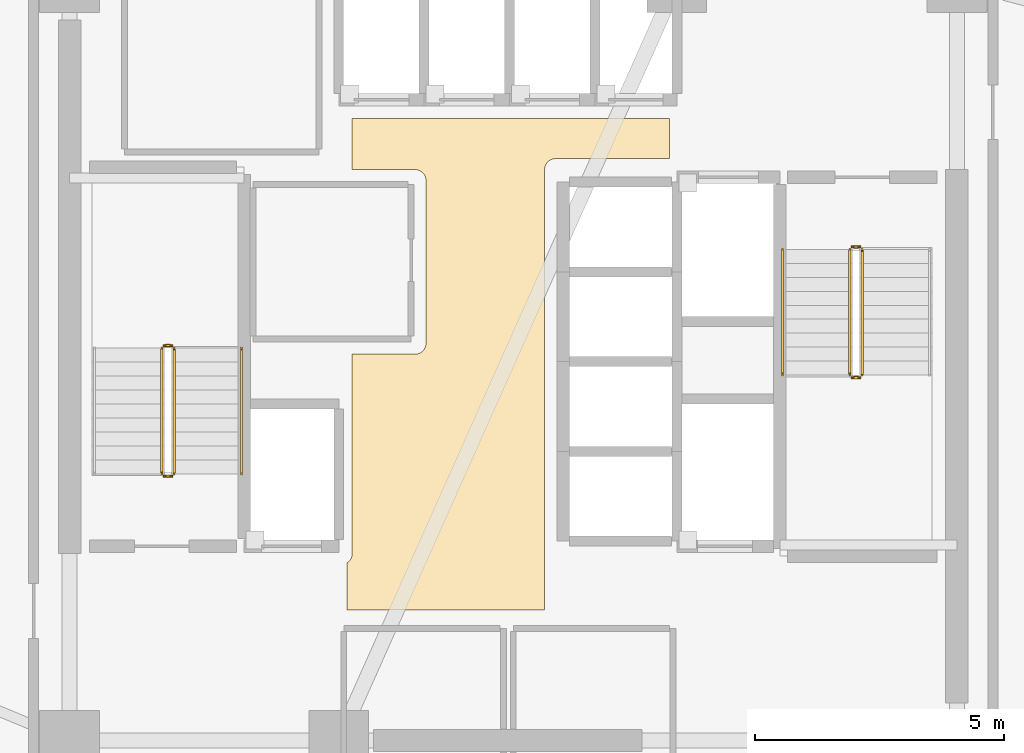
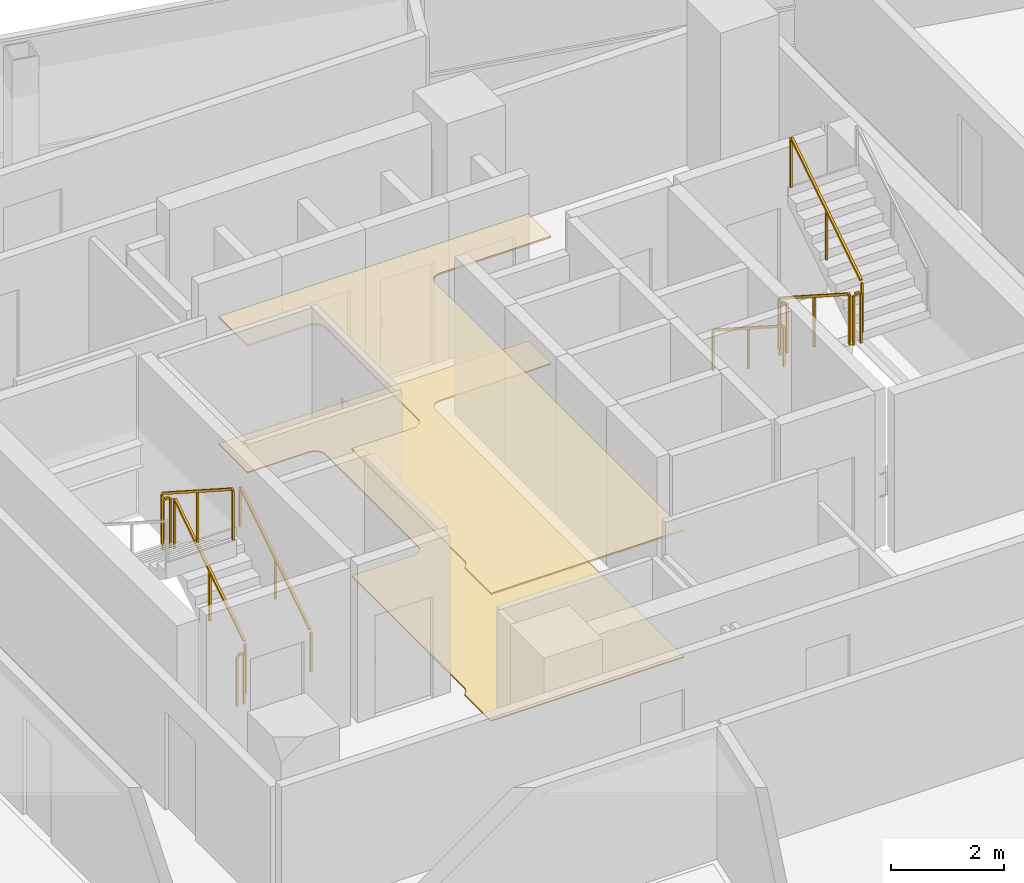
# One storey, part 15 of 16: 10 railings, 2 coverings.
"""IFC4 building model written with IfcOpenShell, lengths in metres."""

from ifc_helpers import new_model, si_unit, direction, frame, origin, origin_2d, place, context, subcontext, project, spatial, polyline, rectangle, outline, extrude, material, layer, layer_set, type_object, element, save


model = new_model("IFC4")

# Units and contexts
model_context = context("Model", 3, precision=1e-05, world=origin(), true_north=direction((0.0, 1.0)))
body_context = subcontext(model_context, "Body", "Model", "MODEL_VIEW")
ifc_project = project(units=[si_unit("LENGTHUNIT", "METRE"), si_unit("AREAUNIT", "SQUARE_METRE"), si_unit("VOLUMEUNIT", "CUBIC_METRE"), si_unit("PLANEANGLEUNIT", "RADIAN"), si_unit("MASSUNIT", "GRAM", prefix="KILO")], contexts=[model_context])

# Site, building, storey
site_placement = place(None, origin())
site = spatial("IfcSite", under=ifc_project, at=site_placement, CompositionType="ELEMENT")
building_placement = place(site_placement, origin())
building = spatial("IfcBuilding", under=site, at=building_placement, Name="Tharavind Bronze Gate", CompositionType="ELEMENT")
storey_placement = place(building_placement, frame((0.0, 0.0, 211.25)))
storey = spatial("IfcBuildingStorey", under=building, at=storey_placement, Name="L54", CompositionType="ELEMENT", Elevation=211.25)

# Coverings
ifc_material_1 = material(Name="Perforated Bronze Acoustic Panel", Category="bronze")
ifc_layer_1 = layer(ifc_material_1, 0.044921875)
ifc_layer_set_1 = layer_set([ifc_layer_1], Name="Perforated Bronze Acoustic Panel")
covering_type_1 = type_object("IfcCoveringType", Name="ACOUSTIC BRONZE BAFFLE CEILING", PredefinedType="CEILING", material=ifc_layer_set_1)
covering_1_placement = place(storey_placement, frame((0.0, 0.0, 2.75)))
element("IfcCovering", 1, at=covering_1_placement, inside=storey, type_object=covering_type_1, Name="L54-C-LL suspended ceiling", PredefinedType="CEILING", context=body_context, shape_type="SweptSolid", body=[
    extrude(outline(polyline([(-3.330078125, -4.97998046875), (0.6298828125, -4.97998046875), (0.6298828125, 3.85009765625), (0.631103515625, 3.87158203125), (0.63427734375, 3.892822265625), (0.639404296875, 3.913818359375), (0.646728515625, 3.93408203125), (0.656005859375, 3.95361328125), (0.6669921875, 3.97216796875), (0.679931640625, 3.989501953125), (0.6943359375, 4.005615234375), (0.71044921875, 4.02001953125), (0.727783203125, 4.032958984375), (0.746337890625, 4.0439453125), (0.765869140625, 4.05322265625), (0.7861328125, 4.060546875), (0.80712890625, 4.06591796875), (0.828369140625, 4.06884765625), (0.85009765625, 4.070068359375), (3.1298828125, 4.070068359375), (3.1298828125, 4.8798828125), (-3.22998046875, 4.8798828125), (-3.22998046875, 3.85009765625), (-1.969970703125, 3.85009765625), (-1.948486328125, 3.848876953125), (-1.927001953125, 3.845703125), (-1.906005859375, 3.840576171875), (-1.8857421875, 3.833251953125), (-1.8662109375, 3.823974609375), (-1.847900390625, 3.81298828125), (-1.830322265625, 3.800048828125), (-1.814453125, 3.78564453125), (-1.7998046875, 3.76953125), (-1.787109375, 3.752197265625), (-1.77587890625, 3.733642578125), (-1.7666015625, 3.714111328125), (-1.759521484375, 3.69384765625), (-1.754150390625, 3.6728515625), (-1.751220703125, 3.651611328125), (-1.75, 3.6298828125), (-1.75, 0.3701171875), (-1.751220703125, 0.348388671875), (-1.754150390625, 0.3271484375), (-1.759521484375, 0.30615234375), (-1.7666015625, 0.285888671875), (-1.77587890625, 0.266357421875), (-1.787109375, 0.247802734375), (-1.7998046875, 0.23046875), (-1.814453125, 0.21435546875), (-1.830322265625, 0.199951171875), (-1.847900390625, 0.18701171875), (-1.8662109375, 0.176025390625), (-1.8857421875, 0.166748046875), (-1.906005859375, 0.159423828125), (-1.927001953125, 0.154296875), (-1.948486328125, 0.151123046875), (-1.969970703125, 0.14990234375), (-3.22998046875, 0.14990234375), (-3.22998046875, -3.85009765625), (-3.231201171875, -3.87158203125), (-3.234130859375, -3.892822265625), (-3.239501953125, -3.913818359375), (-3.24658203125, -3.93408203125), (-3.256103515625, -3.95361328125), (-3.26708984375, -3.97216796875), (-3.27978515625, -3.989501953125), (-3.29443359375, -4.005615234375), (-3.310302734375, -4.02001953125), (-3.327880859375, -4.032958984375), (-3.330078125, -4.0341796875), (-3.330078125, -4.97998046875)])), origin(), (0.0, 0.0, 1.0), 0.034912109375),
])
ifc_material_2 = material(Name="Honed Travertine Limestone", Category="masonry")
ifc_layer_2 = layer(ifc_material_2, 0.030029296875)
ifc_layer_set_2 = layer_set([ifc_layer_2], Name="Honed Travertine Limestone")
covering_type_2 = type_object("IfcCoveringType", Name="HONED LIMESTONE FLOORING", PredefinedType="FLOORING", material=ifc_layer_set_2)
covering_2_placement = place(storey_placement, origin())
element("IfcCovering", 2, at=covering_2_placement, inside=storey, type_object=covering_type_2, Name="L54-C-LL floor finish", PredefinedType="FLOORING", context=body_context, shape_type="SweptSolid", body=[
    extrude(outline(polyline([(-3.330078125, -4.97998046875), (0.6298828125, -4.97998046875), (0.6298828125, 3.85009765625), (0.631103515625, 3.87158203125), (0.63427734375, 3.892822265625), (0.639404296875, 3.913818359375), (0.646728515625, 3.93408203125), (0.656005859375, 3.95361328125), (0.6669921875, 3.97216796875), (0.679931640625, 3.989501953125), (0.6943359375, 4.005615234375), (0.71044921875, 4.02001953125), (0.727783203125, 4.032958984375), (0.746337890625, 4.0439453125), (0.765869140625, 4.05322265625), (0.7861328125, 4.060546875), (0.80712890625, 4.06591796875), (0.828369140625, 4.06884765625), (0.85009765625, 4.070068359375), (3.1298828125, 4.070068359375), (3.1298828125, 4.8798828125), (-3.22998046875, 4.8798828125), (-3.22998046875, 3.85009765625), (-1.969970703125, 3.85009765625), (-1.948486328125, 3.848876953125), (-1.927001953125, 3.845703125), (-1.906005859375, 3.840576171875), (-1.8857421875, 3.833251953125), (-1.8662109375, 3.823974609375), (-1.847900390625, 3.81298828125), (-1.830322265625, 3.800048828125), (-1.814453125, 3.78564453125), (-1.7998046875, 3.76953125), (-1.787109375, 3.752197265625), (-1.77587890625, 3.733642578125), (-1.7666015625, 3.714111328125), (-1.759521484375, 3.69384765625), (-1.754150390625, 3.6728515625), (-1.751220703125, 3.651611328125), (-1.75, 3.6298828125), (-1.75, 0.3701171875), (-1.751220703125, 0.348388671875), (-1.754150390625, 0.3271484375), (-1.759521484375, 0.30615234375), (-1.7666015625, 0.285888671875), (-1.77587890625, 0.266357421875), (-1.787109375, 0.247802734375), (-1.7998046875, 0.23046875), (-1.814453125, 0.21435546875), (-1.830322265625, 0.199951171875), (-1.847900390625, 0.18701171875), (-1.8662109375, 0.176025390625), (-1.8857421875, 0.166748046875), (-1.906005859375, 0.159423828125), (-1.927001953125, 0.154296875), (-1.948486328125, 0.151123046875), (-1.969970703125, 0.14990234375), (-3.22998046875, 0.14990234375), (-3.22998046875, -3.85009765625), (-3.231201171875, -3.87158203125), (-3.234130859375, -3.892822265625), (-3.239501953125, -3.913818359375), (-3.24658203125, -3.93408203125), (-3.256103515625, -3.95361328125), (-3.26708984375, -3.97216796875), (-3.27978515625, -3.989501953125), (-3.29443359375, -4.005615234375), (-3.310302734375, -4.02001953125), (-3.327880859375, -4.032958984375), (-3.330078125, -4.0341796875), (-3.330078125, -4.97998046875)])), origin(), (0.0, 0.0, 1.0), 0.02490234375),
])

# Railings
ifc_material_3 = material(Name="Brushed Bronze Alloy", Category="metal")
railing_type_1 = type_object("IfcRailingType", Name="STAIR BRONZE HANDRAIL 900", PredefinedType="HANDRAIL", material=ifc_material_3)
railing_1_placement = place(storey_placement, frame((-5.449951171875, -2.25, 0.179931640625)))
element("IfcRailing", 3, at=railing_1_placement, inside=storey, type_object=railing_type_1, Name="L54 ST1 stair handrail 1", PredefinedType="HANDRAIL", context=body_context, shape_type="SweptSolid", body=[
    extrude(rectangle(XDim=0.048095703125, YDim=0.048095703125, at=origin_2d()), frame((0.0, 0.02685546875, 0.89306640625), z_axis=(0.0, 0.841162588446, 0.540782303519), x_axis=(-1.0, 0.0, 0.0)), (0.0, 0.0, 1.0), 2.931884765625),
    extrude(rectangle(XDim=0.0400390625, YDim=0.0400390625, at=origin_2d()), origin(), (0.0, 0.0, 1.0), 0.847900390625),
    extrude(rectangle(XDim=0.0400390625, YDim=0.0400390625, at=origin_2d()), frame((0.0, 1.260009765625, 0.81005859375)), (0.0, 0.0, 1.0), 0.847900390625),
    extrude(rectangle(XDim=0.0400390625, YDim=0.0400390625, at=origin_2d()), frame((0.0, 2.52001953125, 1.6201171875)), (0.0, 0.0, 1.0), 0.847900390625),
])
railing_2_placement = place(storey_placement, frame((5.39990234375, 2.25, 0.179931640625)))
element("IfcRailing", 4, at=railing_2_placement, inside=storey, type_object=railing_type_1, Name="L54 ST2 stair handrail 1", PredefinedType="HANDRAIL", context=body_context, shape_type="SweptSolid", body=[
    extrude(rectangle(XDim=0.048095703125, YDim=0.048095703125, at=origin_2d()), frame((0.0, -0.02685546875, 0.89306640625), z_axis=(0.0, -0.841162588446, 0.540782303519), x_axis=(1.0, 0.0, 0.0)), (0.0, 0.0, 1.0), 2.931884765625),
    extrude(rectangle(XDim=0.0400390625, YDim=0.0400390625, at=origin_2d()), origin(), (0.0, 0.0, 1.0), 0.847900390625),
    extrude(rectangle(XDim=0.0400390625, YDim=0.0400390625, at=origin_2d()), frame((0.0, -1.260009765625, 0.81005859375)), (0.0, 0.0, 1.0), 0.847900390625),
    extrude(rectangle(XDim=0.0400390625, YDim=0.0400390625, at=origin_2d()), frame((0.0, -2.52001953125, 1.6201171875)), (0.0, 0.0, 1.0), 0.847900390625),
])
railing_type_2 = type_object("IfcRailingType", Name="STAIR WELL GUARD RAILING 1120", PredefinedType="GUARDRAIL", material=ifc_material_3)
railing_3_placement = place(storey_placement, frame((-6.800048828125, -2.25, 0.179931640625)))
element("IfcRailing", 5, at=railing_3_placement, inside=storey, type_object=railing_type_2, Name="L54 ST1 stair guard 1", PredefinedType="GUARDRAIL", context=body_context, shape_type="SweptSolid", body=[
    extrude(rectangle(XDim=0.048095703125, YDim=0.048095703125, at=origin_2d()), frame((0.0, 0.02685546875, 1.11328125), z_axis=(0.0, 0.841162588446, 0.540782303519), x_axis=(-1.0, 0.0, 0.0)), (0.0, 0.0, 1.0), 2.931884765625),
    extrude(rectangle(XDim=0.0400390625, YDim=0.0400390625, at=origin_2d()), origin(), (0.0, 0.0, 1.0), 1.068115234375),
    extrude(rectangle(XDim=0.0400390625, YDim=0.0400390625, at=origin_2d()), frame((0.0, 1.260009765625, 0.81005859375)), (0.0, 0.0, 1.0), 1.068115234375),
    extrude(rectangle(XDim=0.0400390625, YDim=0.0400390625, at=origin_2d()), frame((0.0, 2.52001953125, 1.6201171875)), (0.0, 0.0, 1.0), 1.068115234375),
])
railing_4_placement = place(storey_placement, frame((-6.85009765625, 0.320068359375, 1.800048828125)))
element("IfcRailing", 6, at=railing_4_placement, inside=storey, type_object=railing_type_2, Name="L54 ST1 stair guard 2", PredefinedType="GUARDRAIL", context=body_context, shape_type="SweptSolid", body=[
    extrude(rectangle(XDim=0.048095703125, YDim=0.048095703125, at=origin_2d()), frame((-0.031982421875, 0.0, 1.09619140625), z_axis=(-1.0, 0.0, 0.0), x_axis=(0.0, -1.0, 0.0)), (0.0, 0.0, 1.0), 0.0859375),
    extrude(rectangle(XDim=0.0400390625, YDim=0.0400390625, at=origin_2d()), origin(), (0.0, 0.0, 1.0), 1.068115234375),
    extrude(rectangle(XDim=0.0400390625, YDim=0.0400390625, at=origin_2d()), frame((-0.14990234375, 0.0, 0.0)), (0.0, 0.0, 1.0), 1.068115234375),
])
railing_5_placement = place(storey_placement, frame((-7.050048828125, 0.27001953125, 1.97998046875)))
element("IfcRailing", 7, at=railing_5_placement, inside=storey, type_object=railing_type_2, Name="L54 ST1 stair guard 3", PredefinedType="GUARDRAIL", context=body_context, shape_type="SweptSolid", body=[
    extrude(rectangle(XDim=0.048095703125, YDim=0.048095703125, at=origin_2d()), frame((0.0, -0.02685546875, 1.11328125), z_axis=(0.0, -0.841162588446, 0.540782303519), x_axis=(1.0, 0.0, 0.0)), (0.0, 0.0, 1.0), 2.931884765625),
    extrude(rectangle(XDim=0.0400390625, YDim=0.0400390625, at=origin_2d()), origin(), (0.0, 0.0, 1.0), 1.068115234375),
    extrude(rectangle(XDim=0.0400390625, YDim=0.0400390625, at=origin_2d()), frame((0.0, -1.260009765625, 0.81005859375)), (0.0, 0.0, 1.0), 1.068115234375),
    extrude(rectangle(XDim=0.0400390625, YDim=0.0400390625, at=origin_2d()), frame((0.0, -2.52001953125, 1.6201171875)), (0.0, 0.0, 1.0), 1.068115234375),
])
railing_6_placement = place(storey_placement, frame((-6.85009765625, -2.300048828125, 0.0)))
element("IfcRailing", 8, at=railing_6_placement, inside=storey, type_object=railing_type_2, Name="L54 ST1 stair guard 4", PredefinedType="GUARDRAIL", context=body_context, shape_type="SweptSolid", body=[
    extrude(rectangle(XDim=0.048095703125, YDim=0.048095703125, at=origin_2d()), frame((-0.031982421875, 0.0, 1.09619140625), z_axis=(-1.0, 0.0, 0.0), x_axis=(0.0, -1.0, 0.0)), (0.0, 0.0, 1.0), 0.0859375),
    extrude(rectangle(XDim=0.0400390625, YDim=0.0400390625, at=origin_2d()), origin(), (0.0, 0.0, 1.0), 1.068115234375),
    extrude(rectangle(XDim=0.0400390625, YDim=0.0400390625, at=origin_2d()), frame((-0.14990234375, 0.0, 0.0)), (0.0, 0.0, 1.0), 1.068115234375),
])
railing_7_placement = place(storey_placement, frame((6.75, 2.25, 0.179931640625)))
element("IfcRailing", 9, at=railing_7_placement, inside=storey, type_object=railing_type_2, Name="L54 ST2 stair guard 1", PredefinedType="GUARDRAIL", context=body_context, shape_type="SweptSolid", body=[
    extrude(rectangle(XDim=0.048095703125, YDim=0.048095703125, at=origin_2d()), frame((0.0, -0.02685546875, 1.11328125), z_axis=(0.0, -0.841162588446, 0.540782303519), x_axis=(1.0, 0.0, 0.0)), (0.0, 0.0, 1.0), 2.931884765625),
    extrude(rectangle(XDim=0.0400390625, YDim=0.0400390625, at=origin_2d()), origin(), (0.0, 0.0, 1.0), 1.068115234375),
    extrude(rectangle(XDim=0.0400390625, YDim=0.0400390625, at=origin_2d()), frame((0.0, -1.260009765625, 0.81005859375)), (0.0, 0.0, 1.0), 1.068115234375),
    extrude(rectangle(XDim=0.0400390625, YDim=0.0400390625, at=origin_2d()), frame((0.0, -2.52001953125, 1.6201171875)), (0.0, 0.0, 1.0), 1.068115234375),
])
railing_8_placement = place(storey_placement, frame((6.800048828125, -0.320068359375, 1.800048828125)))
element("IfcRailing", 10, at=railing_8_placement, inside=storey, type_object=railing_type_2, Name="L54 ST2 stair guard 2", PredefinedType="GUARDRAIL", context=body_context, shape_type="SweptSolid", body=[
    extrude(rectangle(XDim=0.048095703125, YDim=0.048095703125, at=origin_2d()), frame((0.031982421875, 0.0, 1.09619140625), z_axis=(1.0, 0.0, 0.0), x_axis=(0.0, 1.0, 0.0)), (0.0, 0.0, 1.0), 0.0859375),
    extrude(rectangle(XDim=0.0400390625, YDim=0.0400390625, at=origin_2d()), origin(), (0.0, 0.0, 1.0), 1.068115234375),
    extrude(rectangle(XDim=0.0400390625, YDim=0.0400390625, at=origin_2d()), frame((0.14990234375, 0.0, 0.0)), (0.0, 0.0, 1.0), 1.068115234375),
])
railing_9_placement = place(storey_placement, frame((7.0, -0.27001953125, 1.97998046875)))
element("IfcRailing", 11, at=railing_9_placement, inside=storey, type_object=railing_type_2, Name="L54 ST2 stair guard 3", PredefinedType="GUARDRAIL", context=body_context, shape_type="SweptSolid", body=[
    extrude(rectangle(XDim=0.048095703125, YDim=0.048095703125, at=origin_2d()), frame((0.0, 0.02685546875, 1.11328125), z_axis=(0.0, 0.841162588446, 0.540782303519), x_axis=(-1.0, 0.0, 0.0)), (0.0, 0.0, 1.0), 2.931884765625),
    extrude(rectangle(XDim=0.0400390625, YDim=0.0400390625, at=origin_2d()), origin(), (0.0, 0.0, 1.0), 1.068115234375),
    extrude(rectangle(XDim=0.0400390625, YDim=0.0400390625, at=origin_2d()), frame((0.0, 1.260009765625, 0.81005859375)), (0.0, 0.0, 1.0), 1.068115234375),
    extrude(rectangle(XDim=0.0400390625, YDim=0.0400390625, at=origin_2d()), frame((0.0, 2.52001953125, 1.6201171875)), (0.0, 0.0, 1.0), 1.068115234375),
])
railing_10_placement = place(storey_placement, frame((6.800048828125, 2.300048828125, 0.0)))
element("IfcRailing", 12, at=railing_10_placement, inside=storey, type_object=railing_type_2, Name="L54 ST2 stair guard 4", PredefinedType="GUARDRAIL", context=body_context, shape_type="SweptSolid", body=[
    extrude(rectangle(XDim=0.048095703125, YDim=0.048095703125, at=origin_2d()), frame((0.031982421875, 0.0, 1.09619140625), z_axis=(1.0, 0.0, 0.0), x_axis=(0.0, 1.0, 0.0)), (0.0, 0.0, 1.0), 0.0859375),
    extrude(rectangle(XDim=0.0400390625, YDim=0.0400390625, at=origin_2d()), origin(), (0.0, 0.0, 1.0), 1.068115234375),
    extrude(rectangle(XDim=0.0400390625, YDim=0.0400390625, at=origin_2d()), frame((0.14990234375, 0.0, 0.0)), (0.0, 0.0, 1.0), 1.068115234375),
])

save(model, "model.ifc")
